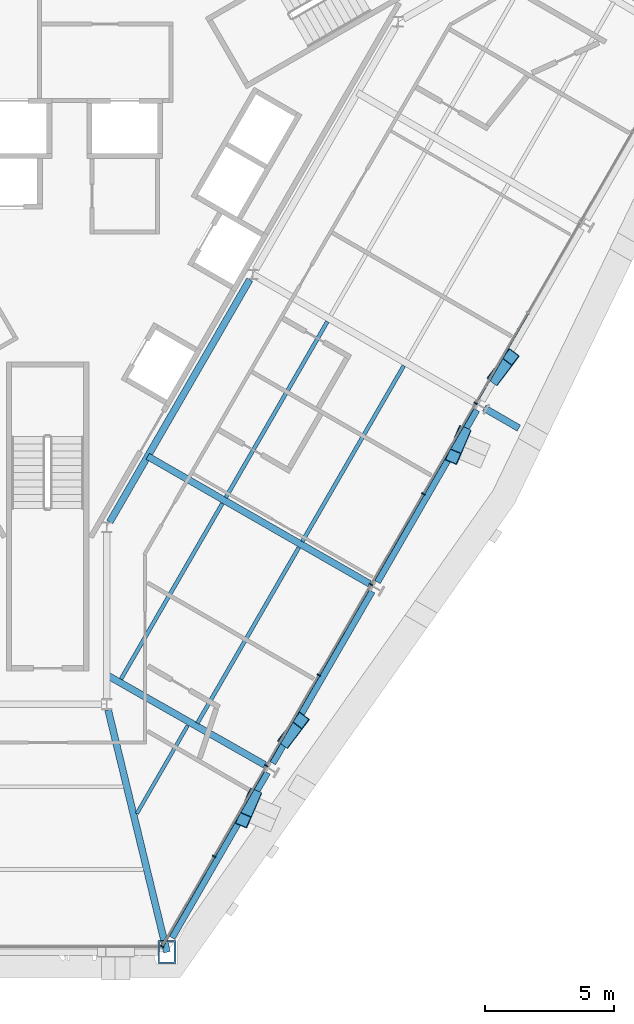
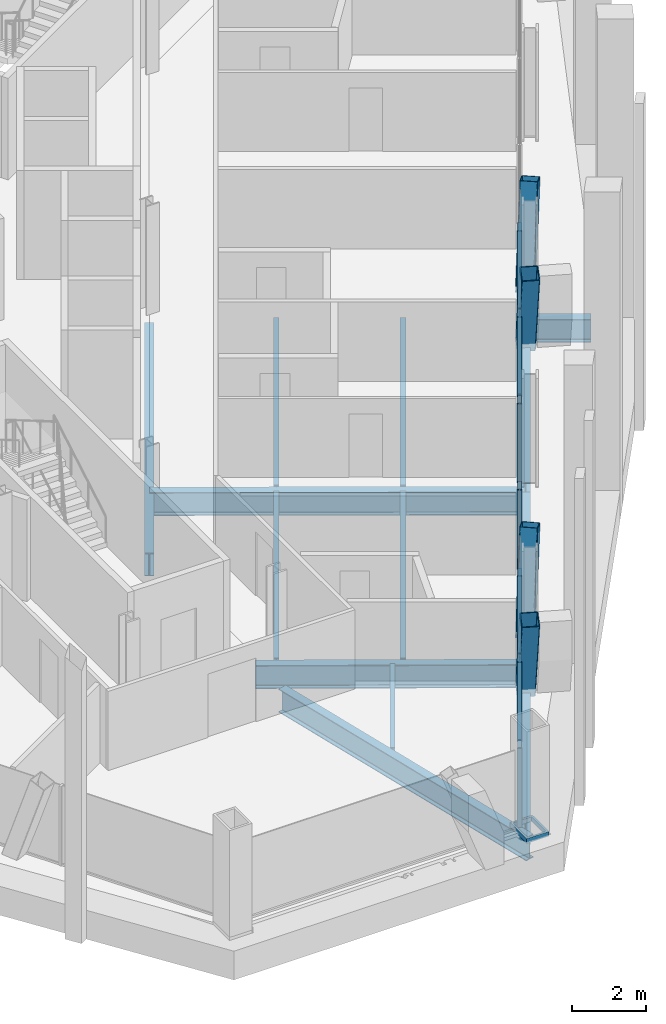
# One storey, part 5 of 19: 19 members, 13 beams, 1 element without a shape of its own.
"""IFC4 building model written with IfcOpenShell, lengths in metres."""

from ifc_helpers import new_model, si_unit, direction, frame, origin, origin_2d, place, context, subcontext, project, spatial, rectangle, hollow_rectangle, i_section, extrude, material, material_profile, profile_set, type_object, element, aggregate, save


model = new_model("IFC4")

# Units and contexts
model_context = context("Model", 3, precision=1e-05, world=origin(), true_north=direction((0.0, 1.0)))
body_context = subcontext(model_context, "Body", "Model", "MODEL_VIEW")
ifc_project = project(units=[si_unit("LENGTHUNIT", "METRE"), si_unit("AREAUNIT", "SQUARE_METRE"), si_unit("VOLUMEUNIT", "CUBIC_METRE"), si_unit("PLANEANGLEUNIT", "RADIAN"), si_unit("MASSUNIT", "GRAM", prefix="KILO")], contexts=[model_context])

# Site, building, storey
site_placement = place(None, origin())
site = spatial("IfcSite", under=ifc_project, at=site_placement, CompositionType="ELEMENT")
building_placement = place(site_placement, origin())
building = spatial("IfcBuilding", under=site, at=building_placement, Name="Verrane Prism Tower", CompositionType="ELEMENT")
storey_placement = place(building_placement, frame((0.0, 0.0, 121.60009765625)))
storey = spatial("IfcBuildingStorey", under=building, at=storey_placement, Name="L29", CompositionType="ELEMENT", Elevation=121.60009765625)

# Beams
ifc_material_1 = material(Name="Steel A992", Category="steel")
ifc_material_profile_1 = material_profile(ifc_material_1, i_section(OverallWidth=0.2666015625, OverallDepth=0.7568359375, WebThickness=0.013916015625, FlangeThickness=0.019287109375, FilletRadius=0.0166015625, at=origin_2d()), Name="W30x108")
ifc_profile_set_1 = profile_set([ifc_material_profile_1], Name="Steel A992")
beam_type_1 = type_object("IfcBeamType", Name="Core ring girder W30x108", PredefinedType="BEAM", material=ifc_profile_set_1)
beam_1_placement = place(storey_placement, frame((2.4150390625, -14.220703125, -0.628662109375), z_axis=(0.500034555306, 0.86600545235, 0.0), x_axis=(-0.86600545235, 0.500034555306, 0.0)))
element("IfcBeam", 1, at=beam_1_placement, inside=storey, type_object=beam_type_1, Name="Core ring girder L29", PredefinedType="BEAM", context=body_context, shape_type="SweptSolid", body=[
    extrude(i_section(OverallWidth=0.2666015625, OverallDepth=0.7568359375, WebThickness=0.013916015625, FlangeThickness=0.019287109375, FilletRadius=0.0166015625, at=origin_2d()), origin(), (0.0, 0.0, 1.0), 10.879150390625),
])
ifc_material_2 = material(Name="Steel A992", Category="steel")
ifc_material_profile_2 = material_profile(ifc_material_2, i_section(OverallWidth=0.2666015625, OverallDepth=0.76708984375, WebThickness=0.014892578125, FlangeThickness=0.023681640625, FilletRadius=0.0166015625, at=origin_2d()), Name="W30x124")
ifc_profile_set_2 = profile_set([ifc_material_profile_2], Name="Steel A992")
beam_type_2 = type_object("IfcBeamType", Name="Corner girder W30x124", PredefinedType="BEAM", material=ifc_profile_set_2)
beam_2_placement = place(storey_placement, frame((4.639404296875, -30.93798828125, -0.603515625), z_axis=(-0.235869588092, 0.971784717627, 0.0), x_axis=(-0.971784717627, -0.235869588092, 0.0)))
element("IfcBeam", 2, at=beam_2_placement, inside=storey, type_object=beam_type_2, Name="Corner girder L29", PredefinedType="BEAM", context=body_context, shape_type="SweptSolid", body=[
    extrude(i_section(OverallWidth=0.2666015625, OverallDepth=0.76708984375, WebThickness=0.014892578125, FlangeThickness=0.023681640625, FilletRadius=0.0166015625, at=origin_2d()), origin(), (0.0, 0.0, 1.0), 9.6943359375),
])

# Members
ifc_material_3 = material(Name="Steel A1085 Grade A", Category="steel")
ifc_material_profile_3 = material_profile(ifc_material_3, hollow_rectangle(XDim=0.508056640625, YDim=0.508056640625, WallThickness=0.025390625, InnerFilletRadius=0.0126953125, OuterFilletRadius=0.0380859375, at=origin_2d()), Name="HSS20x20x1")
ifc_profile_set_3 = profile_set([ifc_material_profile_3], Name="Steel A1085 Grade A")
member_type_1 = type_object("IfcMemberType", Name="Facade brace HSS20x20x1", PredefinedType="BRACE", material=ifc_profile_set_3)
member_1_placement = place(storey_placement, frame((8.00927734375, -24.865234375, -0.24267578125), z_axis=(-0.127491735724, -0.295328957437, 0.946850919745), x_axis=(0.918103847095, -0.396339912134, 0.0)))
element("IfcMember", 3, at=member_1_placement, inside=storey, type_object=member_type_1, Name="Facade brace SE0 L29", PredefinedType="BRACE", context=body_context, shape_type="SweptSolid", body=[
    extrude(hollow_rectangle(XDim=0.508056640625, YDim=0.508056640625, WallThickness=0.025390625, InnerFilletRadius=0.0126953125, OuterFilletRadius=0.0380859375, at=origin_2d()), origin(), (0.0, 0.0, 1.0), 3.177001953125),
])
member_2_placement = place(storey_placement, frame((9.267578125, -22.685791015625, -0.24267578125), z_axis=(0.181411235716, 0.238784571467, 0.953976882312), x_axis=(-0.796266663934, 0.604945782619, 0.0)))
element("IfcMember", 4, at=member_2_placement, inside=storey, type_object=member_type_1, Name="Facade brace SE1 L29", PredefinedType="BRACE", context=body_context, shape_type="SweptSolid", body=[
    extrude(hollow_rectangle(XDim=0.508056640625, YDim=0.508056640625, WallThickness=0.025390625, InnerFilletRadius=0.0126953125, OuterFilletRadius=0.0380859375, at=origin_2d()), origin(), (0.0, 0.0, 1.0), 3.153076171875),
])
member_3_placement = place(storey_placement, frame((16.1474609375, -10.77099609375, -0.24267578125), z_axis=(-0.121723165079, -0.28618057189, 0.950412621631), x_axis=(0.920219270663, -0.391403236956, 0.0)))
element("IfcMember", 5, at=member_3_placement, inside=storey, type_object=member_type_1, Name="Facade brace SE2 L29", PredefinedType="BRACE", context=body_context, shape_type="SweptSolid", body=[
    extrude(hollow_rectangle(XDim=0.508056640625, YDim=0.508056640625, WallThickness=0.025390625, InnerFilletRadius=0.0126953125, OuterFilletRadius=0.0380859375, at=origin_2d()), origin(), (0.0, 0.0, 1.0), 3.1650390625),
])
member_4_placement = place(storey_placement, frame((17.406005859375, -8.591796875, -0.24267578125), z_axis=(0.186990741959, 0.248318151141, 0.950459130229), x_axis=(-0.798837097845, 0.601547413848, 0.0)))
element("IfcMember", 6, at=member_4_placement, inside=storey, type_object=member_type_1, Name="Facade brace SE3 L29", PredefinedType="BRACE", context=body_context, shape_type="SweptSolid", body=[
    extrude(hollow_rectangle(XDim=0.508056640625, YDim=0.508056640625, WallThickness=0.025390625, InnerFilletRadius=0.0126953125, OuterFilletRadius=0.0380859375, at=origin_2d()), origin(), (0.0, 0.0, 1.0), 3.164794921875),
])

# Beams
ifc_material_4 = material(Name="Steel A992", Category="steel")
ifc_material_profile_4 = material_profile(ifc_material_4, i_section(OverallWidth=0.140380859375, OverallDepth=0.40380859375, WebThickness=0.007080078125, FlangeThickness=0.01123046875, FilletRadius=0.01025390625, at=origin_2d()), Name="W16x31")
ifc_profile_set_4 = profile_set([ifc_material_profile_4], Name="Steel A992")
beam_type_3 = type_object("IfcBeamType", Name="Floor beam W16x31", PredefinedType="BEAM", material=ifc_profile_set_4)
beam_3_placement = place(storey_placement, frame((3.46923828125, -25.55126953125, -0.362060546875), z_axis=(0.499995367196, 0.866028078518, 0.0), x_axis=(-0.866028078518, 0.499995367196, 0.0)))
element("IfcBeam", 7, at=beam_3_placement, inside=storey, type_object=beam_type_3, Name="Floor beam L29", PredefinedType="BEAM", context=body_context, shape_type="SweptSolid", body=[
    extrude(i_section(OverallWidth=0.140380859375, OverallDepth=0.40380859375, WebThickness=0.007080078125, FlangeThickness=0.01123046875, FilletRadius=0.01025390625, at=origin_2d()), origin(), (0.0, 0.0, 1.0), 3.94921875),
])
ifc_material_5 = material(Name="Steel A992", Category="steel")
ifc_material_profile_5 = material_profile(ifc_material_5, i_section(OverallWidth=0.15234375, OverallDepth=0.449462890625, WebThickness=0.007568359375, FlangeThickness=0.0107421875, FilletRadius=0.01025390625, at=origin_2d()), Name="W18x35")
ifc_profile_set_5 = profile_set([ifc_material_profile_5], Name="Steel A992")
beam_type_4 = type_object("IfcBeamType", Name="Floor beam W18x35", PredefinedType="BEAM", material=ifc_profile_set_5)
beam_4_placement = place(storey_placement, frame((5.8203125, -22.040283203125, -0.385009765625), z_axis=(0.500002097505, 0.866024192786, 0.0), x_axis=(-0.866024192786, 0.500002097505, 0.0)))
element("IfcBeam", 8, at=beam_4_placement, inside=storey, type_object=beam_type_4, Name="Floor beam L29", PredefinedType="BEAM", context=body_context, shape_type="SweptSolid", body=[
    extrude(i_section(OverallWidth=0.15234375, OverallDepth=0.449462890625, WebThickness=0.007568359375, FlangeThickness=0.0107421875, FilletRadius=0.01025390625, at=origin_2d()), origin(), (0.0, 0.0, 1.0), 7.884765625),
])
beam_5_placement = place(storey_placement, frame((2.85107421875, -20.32421875, -0.385009765625), z_axis=(0.499996836462, 0.866027230246, 0.0), x_axis=(-0.866027230246, 0.499996836462, 0.0)))
element("IfcBeam", 9, at=beam_5_placement, inside=storey, type_object=beam_type_4, Name="Floor beam L29", PredefinedType="BEAM", context=body_context, shape_type="SweptSolid", body=[
    extrude(i_section(OverallWidth=0.15234375, OverallDepth=0.449462890625, WebThickness=0.007568359375, FlangeThickness=0.0107421875, FilletRadius=0.01025390625, at=origin_2d()), origin(), (0.0, 0.0, 1.0), 7.8818359375),
])
for number, where, z_axis, x_axis, name in (
    (10, (9.896240234375, -14.980712890625, -0.385009765625), (0.500013303288, 0.866017722991, 0.0), (-0.866017722991, 0.500013303288, 0.0), "Floor beam L29"),
    (11, (6.92578125, -13.26708984375, -0.385009765625), (0.500013303288, 0.866017722991, 0.0), (-0.866017722991, 0.500013303288, 0.0), "Floor beam L29"),
):
    element("IfcBeam", number, at=place(storey_placement, frame(where, z_axis=z_axis, x_axis=x_axis)), inside=storey, type_object=beam_type_4, Name=name, PredefinedType="BEAM", context=body_context, shape_type="SweptSolid", body=[
        extrude(i_section(OverallWidth=0.15234375, OverallDepth=0.449462890625, WebThickness=0.007568359375, FlangeThickness=0.0107421875, FilletRadius=0.01025390625, at=origin_2d()), origin(), (0.0, 0.0, 1.0), 7.895751953125),
    ])

# Member
ifc_material_6 = material(Name="Steel A572 Grade 50", Category="steel")
ifc_material_profile_6 = material_profile(ifc_material_6, hollow_rectangle(XDim=0.699951171875, YDim=0.89990234375, WallThickness=0.06494140625, at=origin_2d()), Name="BOX 900x700x65")
ifc_profile_set_6 = profile_set([ifc_material_profile_6], Name="Steel A572 Grade 50")
member_type_2 = type_object("IfcMemberType", Name="Kink node BOX 900x700x65", PredefinedType="COLLAR", material=ifc_profile_set_6)
member_5_placement = place(storey_placement, frame((4.6357421875, -30.9326171875, -0.0751953125), z_axis=(0.0, 0.0, 1.0), x_axis=(-1.0, 0.0, 0.0)))
element("IfcMember", 12, at=member_5_placement, inside=storey, type_object=member_type_2, Name="Kink node MC3 L29", PredefinedType="COLLAR", context=body_context, shape_type="SweptSolid", body=[
    extrude(hollow_rectangle(XDim=0.699951171875, YDim=0.89990234375, WallThickness=0.06494140625, at=origin_2d()), origin(), (0.0, 0.0, 1.0), 0.150146484375),
])

# Curtain wall, members
ifc_material_7 = material(Name="Aluminium framed insulated glazing", Category="aluminium")
curtain_wall_type = type_object("IfcCurtainWallType", Name="Curtain wall CW-C 4200 module", PredefinedType="NOTDEFINED", material=ifc_material_7)
curtain_wall_placement = place(storey_placement, origin())
curtain_wall = element("IfcCurtainWall", 13, at=curtain_wall_placement, inside=storey, type_object=curtain_wall_type, Name="Glazed curtain wall south-east face L29", PredefinedType="NOTDEFINED")
ifc_material_8 = material(Name="Aluminium alloy 6063-T6", Category="aluminium")
ifc_material_profile_7 = material_profile(ifc_material_8, rectangle(XDim=0.139892578125, YDim=0.050048828125, at=origin_2d()), Name="Mullion 50x140 aluminium")
ifc_profile_set_7 = profile_set([ifc_material_profile_7], Name="Aluminium alloy 6063-T6")
member_type_3 = type_object("IfcMemberType", Name="Mullion 50x140 aluminium", PredefinedType="MULLION", material=ifc_profile_set_7)
member_6_placement = place(storey_placement, frame((4.450439453125, -30.713623046875, 0.0), z_axis=(0.0, 0.0, 1.0), x_axis=(-0.866025327793, 0.500000131621, 0.0)))
member_6 = element("IfcMember", 14, at=member_6_placement, type_object=member_type_3, Name="CW29.6 mullion 1", PredefinedType="MULLION", context=body_context, shape_type="SweptSolid", body=[
    extrude(rectangle(XDim=0.139892578125, YDim=0.050048828125, at=origin_2d()), origin(), (0.0, 0.0, 1.0), 2.61279296875),
])
member_7_placement = place(storey_placement, frame((6.47119140625, -27.213623046875, 0.0), z_axis=(0.0, 0.0, 1.0), x_axis=(-0.866025327793, 0.500000131621, 0.0)))
member_7 = element("IfcMember", 15, at=member_7_placement, type_object=member_type_3, Name="CW29.6 mullion 2", PredefinedType="MULLION", context=body_context, shape_type="SweptSolid", body=[
    extrude(rectangle(XDim=0.139892578125, YDim=0.050048828125, at=origin_2d()), origin(), (0.0, 0.0, 1.0), 2.61279296875),
])
member_8_placement = place(storey_placement, frame((8.50439453125, -23.692138671875, 0.0), z_axis=(0.0, 0.0, 1.0), x_axis=(-0.866025327793, 0.500000131621, 0.0)))
member_8 = element("IfcMember", 16, at=member_8_placement, type_object=member_type_3, Name="CW29.6 mullion 3", PredefinedType="MULLION", context=body_context, shape_type="SweptSolid", body=[
    extrude(rectangle(XDim=0.139892578125, YDim=0.050048828125, at=origin_2d()), origin(), (0.0, 0.0, 1.0), 2.61279296875),
])
member_9_placement = place(storey_placement, frame((10.53759765625, -20.17041015625, 0.0), z_axis=(0.0, 0.0, 1.0), x_axis=(-0.866025327793, 0.500000131621, 0.0)))
member_9 = element("IfcMember", 17, at=member_9_placement, type_object=member_type_3, Name="CW29.6 mullion 4", PredefinedType="MULLION", context=body_context, shape_type="SweptSolid", body=[
    extrude(rectangle(XDim=0.139892578125, YDim=0.050048828125, at=origin_2d()), origin(), (0.0, 0.0, 1.0), 2.61279296875),
])
member_10_placement = place(storey_placement, frame((12.57080078125, -16.648681640625, 0.0), z_axis=(0.0, 0.0, 1.0), x_axis=(-0.866025327793, 0.500000131621, 0.0)))
member_10 = element("IfcMember", 18, at=member_10_placement, type_object=member_type_3, Name="CW29.6 mullion 5", PredefinedType="MULLION", context=body_context, shape_type="SweptSolid", body=[
    extrude(rectangle(XDim=0.139892578125, YDim=0.050048828125, at=origin_2d()), origin(), (0.0, 0.0, 1.0), 2.61279296875),
])
member_11_placement = place(storey_placement, frame((14.60400390625, -13.127197265625, 0.0), z_axis=(0.0, 0.0, 1.0), x_axis=(-0.866025327793, 0.500000131621, 0.0)))
member_11 = element("IfcMember", 19, at=member_11_placement, type_object=member_type_3, Name="CW29.6 mullion 6", PredefinedType="MULLION", context=body_context, shape_type="SweptSolid", body=[
    extrude(rectangle(XDim=0.139892578125, YDim=0.050048828125, at=origin_2d()), origin(), (0.0, 0.0, 1.0), 2.61279296875),
])
member_12_placement = place(storey_placement, frame((16.63720703125, -9.60546875, 0.0), z_axis=(0.0, 0.0, 1.0), x_axis=(-0.866025327793, 0.500000131621, 0.0)))
member_12 = element("IfcMember", 20, at=member_12_placement, type_object=member_type_3, Name="CW29.6 mullion 7", PredefinedType="MULLION", context=body_context, shape_type="SweptSolid", body=[
    extrude(rectangle(XDim=0.139892578125, YDim=0.050048828125, at=origin_2d()), origin(), (0.0, 0.0, 1.0), 2.61279296875),
])

# Beams
ifc_material_9 = material(Name="Steel A992", Category="steel")
ifc_material_profile_8 = material_profile(ifc_material_9, i_section(OverallWidth=0.2666015625, OverallDepth=0.76708984375, WebThickness=0.014892578125, FlangeThickness=0.023681640625, FilletRadius=0.0166015625, at=origin_2d()), Name="W30x124")
ifc_profile_set_8 = profile_set([ifc_material_profile_8], Name="Steel A992")
beam_type_5 = type_object("IfcBeamType", Name="Radial girder W30x124", PredefinedType="BEAM", material=ifc_profile_set_8)
beam_6_placement = place(storey_placement, frame((8.44287109375, -23.6591796875, -0.603515625), z_axis=(-0.869115447112, 0.494609279726, 0.0), x_axis=(-0.494609279726, -0.869115447112, 0.0)))
element("IfcBeam", 21, at=beam_6_placement, inside=storey, type_object=beam_type_5, Name="Radial girder L29", PredefinedType="BEAM", context=body_context, shape_type="SweptSolid", body=[
    extrude(i_section(OverallWidth=0.2666015625, OverallDepth=0.76708984375, WebThickness=0.014892578125, FlangeThickness=0.023681640625, FilletRadius=0.0166015625, at=origin_2d()), origin(), (0.0, 0.0, 1.0), 7.06787109375),
])
beam_7_placement = place(storey_placement, frame((12.511474609375, -16.6171875, -0.603515625), z_axis=(-0.867171206172, 0.498010139642, 0.0), x_axis=(-0.498010139642, -0.867171206172, 0.0)))
element("IfcBeam", 22, at=beam_7_placement, inside=storey, type_object=beam_type_5, Name="Radial girder L29", PredefinedType="BEAM", context=body_context, shape_type="SweptSolid", body=[
    extrude(i_section(OverallWidth=0.2666015625, OverallDepth=0.76708984375, WebThickness=0.014892578125, FlangeThickness=0.023681640625, FilletRadius=0.0166015625, at=origin_2d()), origin(), (0.0, 0.0, 1.0), 9.94189453125),
])
beam_8_placement = place(storey_placement, frame((16.97021484375, -9.7919921875, -0.603515625), z_axis=(0.866025664929, -0.499999547685, 0.0), x_axis=(0.499999547685, 0.866025664929, 0.0)))
element("IfcBeam", 23, at=beam_8_placement, inside=storey, type_object=beam_type_5, Name="Cantilever girder L29", PredefinedType="BEAM", context=body_context, shape_type="SweptSolid", body=[
    extrude(i_section(OverallWidth=0.2666015625, OverallDepth=0.76708984375, WebThickness=0.014892578125, FlangeThickness=0.023681640625, FilletRadius=0.0166015625, at=origin_2d()), origin(), (0.0, 0.0, 1.0), 1.55078125),
])
ifc_material_10 = material(Name="Steel A992", Category="steel")
ifc_material_profile_9 = material_profile(ifc_material_10, i_section(OverallWidth=0.2666015625, OverallDepth=0.7568359375, WebThickness=0.013916015625, FlangeThickness=0.019287109375, FilletRadius=0.0166015625, at=origin_2d()), Name="W30x108")
ifc_profile_set_9 = profile_set([ifc_material_profile_9], Name="Steel A992")
beam_type_6 = type_object("IfcBeamType", Name="Spandrel beam W30x108", PredefinedType="SPANDREL", material=ifc_profile_set_9)
beam_9_placement = place(storey_placement, frame((4.831787109375, -30.371337890625, -0.53857421875), z_axis=(0.499827980255, 0.866124696654, 0.0), x_axis=(-0.866124696654, 0.499827980255, 0.0)))
element("IfcBeam", 24, at=beam_9_placement, inside=storey, type_object=beam_type_6, Name="Spandrel beam L29", PredefinedType="SPANDREL", context=body_context, shape_type="SweptSolid", body=[
    extrude(i_section(OverallWidth=0.2666015625, OverallDepth=0.7568359375, WebThickness=0.013916015625, FlangeThickness=0.019287109375, FilletRadius=0.0166015625, at=origin_2d()), origin(), (0.0, 0.0, 1.0), 7.41015625),
])
beam_10_placement = place(storey_placement, frame((8.7451171875, -23.590087890625, -0.53857421875), z_axis=(0.50028867257, 0.865858674437, 0.0), x_axis=(-0.865858674437, 0.50028867257, 0.0)))
element("IfcBeam", 25, at=beam_10_placement, inside=storey, type_object=beam_type_6, Name="Spandrel beam L29", PredefinedType="SPANDREL", context=body_context, shape_type="SweptSolid", body=[
    extrude(i_section(OverallWidth=0.2666015625, OverallDepth=0.7568359375, WebThickness=0.013916015625, FlangeThickness=0.019287109375, FilletRadius=0.0166015625, at=origin_2d()), origin(), (0.0, 0.0, 1.0), 7.712890625),
])
beam_11_placement = place(storey_placement, frame((12.813232421875, -16.548828125, -0.53857421875), z_axis=(0.499822833749, 0.866127666607, 0.0), x_axis=(-0.866127666607, 0.499822833749, 0.0)))
element("IfcBeam", 26, at=beam_11_placement, inside=storey, type_object=beam_type_6, Name="Spandrel beam L29", PredefinedType="SPANDREL", context=body_context, shape_type="SweptSolid", body=[
    extrude(i_section(OverallWidth=0.2666015625, OverallDepth=0.7568359375, WebThickness=0.013916015625, FlangeThickness=0.019287109375, FilletRadius=0.0166015625, at=origin_2d()), origin(), (0.0, 0.0, 1.0), 7.719970703125),
])

# Member
ifc_material_11 = material(Name="Aluminium alloy 6063-T6", Category="aluminium")
ifc_material_profile_10 = material_profile(ifc_material_11, rectangle(XDim=0.10009765625, YDim=0.050048828125, at=origin_2d()), Name="Transom 50x100 aluminium")
ifc_profile_set_10 = profile_set([ifc_material_profile_10], Name="Aluminium alloy 6063-T6")
member_type_4 = type_object("IfcMemberType", Name="Transom 50x100 aluminium", PredefinedType="USERDEFINED", material=ifc_profile_set_10)
member_13_placement = place(storey_placement, frame((4.462890625, -30.69189453125, 0.02490234375), z_axis=(0.499994260308, 0.866028717572, 0.0), x_axis=(-0.866028717572, 0.499994260308, 0.0)))
member_13 = element("IfcMember", 27, at=member_13_placement, type_object=member_type_4, Name="CW29.6 transom 1", ObjectType="TRANSOM", PredefinedType="USERDEFINED", context=body_context, shape_type="SweptSolid", body=[
    extrude(rectangle(XDim=0.10009765625, YDim=0.050048828125, at=origin_2d()), origin(), (0.0, 0.0, 1.0), 3.9912109375),
])

member_14_placement = place(storey_placement, frame((6.483642578125, -27.19189453125, 0.02490234375), z_axis=(0.500022371132, 0.86601248742, 0.0), x_axis=(-0.86601248742, 0.500022371132, 0.0)))
member_14 = element("IfcMember", 28, at=member_14_placement, type_object=member_type_4, Name="CW29.6 transom 2", ObjectType="TRANSOM", PredefinedType="USERDEFINED", context=body_context, shape_type="SweptSolid", body=[
    extrude(rectangle(XDim=0.10009765625, YDim=0.050048828125, at=origin_2d()), origin(), (0.0, 0.0, 1.0), 4.016357421875),
])

member_15_placement = place(storey_placement, frame((8.516845703125, -23.67041015625, 0.02490234375), z_axis=(0.500022371132, 0.86601248742, 0.0), x_axis=(-0.86601248742, 0.500022371132, 0.0)))
member_15 = element("IfcMember", 29, at=member_15_placement, type_object=member_type_4, Name="CW29.6 transom 3", ObjectType="TRANSOM", PredefinedType="USERDEFINED", context=body_context, shape_type="SweptSolid", body=[
    extrude(rectangle(XDim=0.10009765625, YDim=0.050048828125, at=origin_2d()), origin(), (0.0, 0.0, 1.0), 4.016357421875),
])

member_16_placement = place(storey_placement, frame((10.550048828125, -20.148681640625, 0.02490234375), z_axis=(0.500022371132, 0.86601248742, 0.0), x_axis=(-0.86601248742, 0.500022371132, 0.0)))
member_16 = element("IfcMember", 30, at=member_16_placement, type_object=member_type_4, Name="CW29.6 transom 4", ObjectType="TRANSOM", PredefinedType="USERDEFINED", context=body_context, shape_type="SweptSolid", body=[
    extrude(rectangle(XDim=0.10009765625, YDim=0.050048828125, at=origin_2d()), origin(), (0.0, 0.0, 1.0), 4.016357421875),
])

member_17_placement = place(storey_placement, frame((12.583251953125, -16.627197265625, 0.02490234375), z_axis=(0.499996050563, 0.866027683981, 0.0), x_axis=(-0.866027683981, 0.499996050563, 0.0)))
member_17 = element("IfcMember", 31, at=member_17_placement, type_object=member_type_4, Name="CW29.6 transom 5", ObjectType="TRANSOM", PredefinedType="USERDEFINED", context=body_context, shape_type="SweptSolid", body=[
    extrude(rectangle(XDim=0.10009765625, YDim=0.050048828125, at=origin_2d()), origin(), (0.0, 0.0, 1.0), 4.0166015625),
])

member_18_placement = place(storey_placement, frame((14.616455078125, -13.10546875, 0.02490234375), z_axis=(0.500022371132, 0.86601248742, 0.0), x_axis=(-0.86601248742, 0.500022371132, 0.0)))
member_18 = element("IfcMember", 32, at=member_18_placement, type_object=member_type_4, Name="CW29.6 transom 6", ObjectType="TRANSOM", PredefinedType="USERDEFINED", context=body_context, shape_type="SweptSolid", body=[
    extrude(rectangle(XDim=0.10009765625, YDim=0.050048828125, at=origin_2d()), origin(), (0.0, 0.0, 1.0), 4.016357421875),
])

member_19_placement = place(storey_placement, frame((16.649658203125, -9.583740234375, 0.02490234375), z_axis=(0.500022371132, 0.86601248742, 0.0), x_axis=(-0.86601248742, 0.500022371132, 0.0)))
member_19 = element("IfcMember", 33, at=member_19_placement, type_object=member_type_4, Name="CW29.6 transom 7", ObjectType="TRANSOM", PredefinedType="USERDEFINED", context=body_context, shape_type="SweptSolid", body=[
    extrude(rectangle(XDim=0.10009765625, YDim=0.050048828125, at=origin_2d()), origin(), (0.0, 0.0, 1.0), 4.016357421875),
])

aggregate(curtain_wall, [member_6, member_7, member_8, member_9, member_10, member_11, member_12, member_13, member_14, member_15, member_16, member_17, member_18, member_19])

save(model, "model.ifc")
